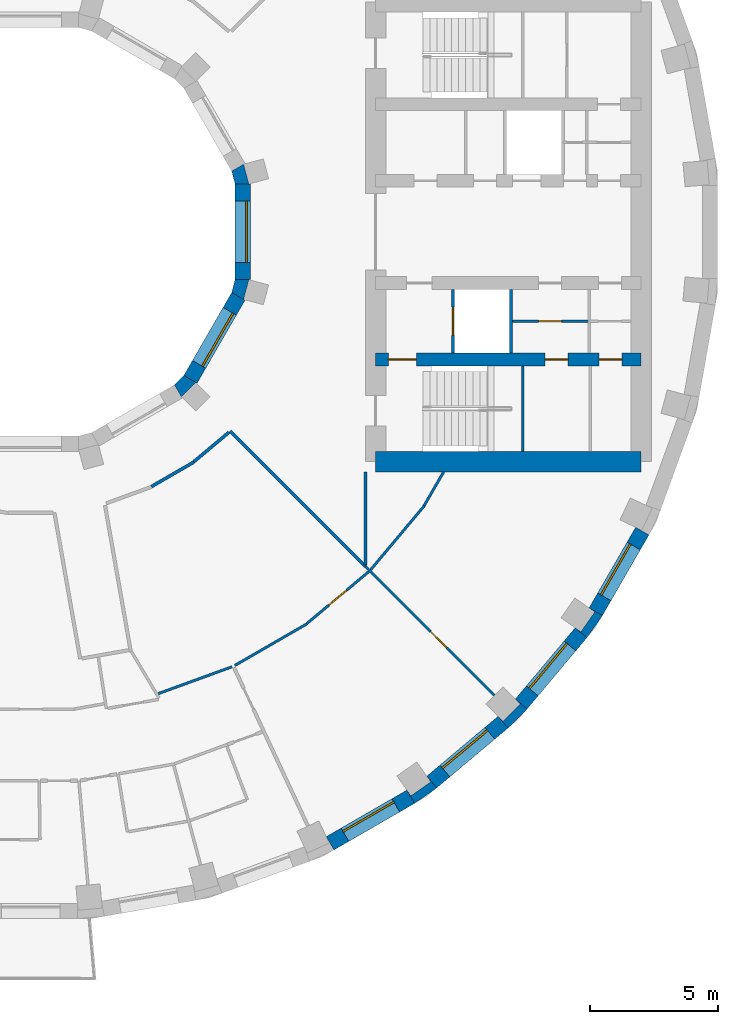
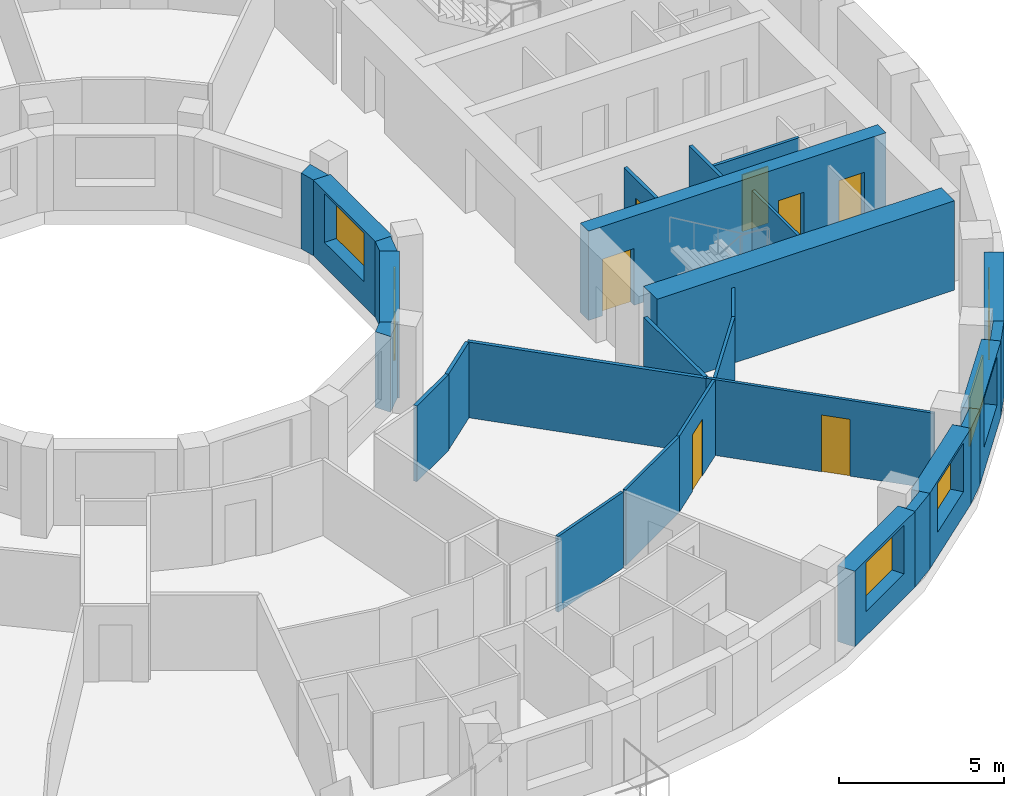
# One storey, part 7 of 14: 28 walls, 7 doors, 6 windows, 13 openings.
"""IFC4 building model written with IfcOpenShell, lengths in metres."""

import ifcopenshell
import ifcopenshell.guid

model = None  # the IFC model being written
_history = None  # IfcOwnerHistory: only IFC2X3 demands one
_inside = {}  # id of a spatial element -> (the spatial element, [elements in it])
_under = {}  # id of a project, library or spatial element -> (it, [spatial elements below it])
_declared = {}  # id of a project -> (the project, [libraries it declares])
_typed = {}  # id of a type object -> (the type object, [elements of that type])
_made_of = {}  # id of a material, layer set ... -> (it, [elements and type objects made of it])


def new_model(schema):
    """Start an empty IFC model of exactly this schema.

    Asked for "IFC4X3", IfcOpenShell would pick the latest addendum, in which some entities
    have other attributes; the version numbers below select the first issue.
    IFC2X3 requires an IfcOwnerHistory on every rooted entity: one is made here for all.
    """
    global model, _history
    if schema == "IFC4X3":
        model = ifcopenshell.file(schema_version=(4, 3, 0, 0))
    else:
        model = ifcopenshell.file(schema=schema)
    _inside.clear()
    _under.clear()
    _declared.clear()
    _typed.clear()
    _made_of.clear()
    _history = None
    if model.schema == "IFC2X3":
        org = make("IfcOrganization", Name="unknown")
        user = make(
            "IfcPersonAndOrganization",
            ThePerson=make("IfcPerson", FamilyName="unknown"),
            TheOrganization=org,
        )
        app = make(
            "IfcApplication",
            ApplicationDeveloper=org,
            Version="unknown",
            ApplicationFullName="unknown",
            ApplicationIdentifier="unknown",
        )
        _history = make(
            "IfcOwnerHistory",
            OwningUser=user,
            OwningApplication=app,
            ChangeAction="ADDED",
            CreationDate=0,
        )
    return model


def make(cls, **values):
    """One entity of the class cls with the attributes given. An attribute that is None is left unset."""
    return model.create_entity(
        cls, **{name: value for name, value in values.items() if value is not None}
    )


def rooted(cls, **values):
    """An entity with a GlobalId (a new one), such as an element, a storey or a relation."""
    return make(cls, GlobalId=ifcopenshell.guid.new(), OwnerHistory=_history, **values)


def si_unit(unit_type, name, prefix=None):
    """IfcSIUnit, for example si_unit("LENGTHUNIT", "METRE", prefix="MILLI")."""
    return make("IfcSIUnit", UnitType=unit_type, Prefix=prefix, Name=name)


def assignment(units):
    """IfcUnitAssignment: the units of a project."""
    return None if units is None else make("IfcUnitAssignment", Units=units)


def point(xyz):
    """IfcCartesianPoint."""
    return None if xyz is None else make("IfcCartesianPoint", Coordinates=xyz)


def direction(xyz):
    """IfcDirection."""
    return None if xyz is None else make("IfcDirection", DirectionRatios=xyz)


def frame(location, z_axis=None, x_axis=None):
    """IfcAxis2Placement3D, a coordinate frame: its origin and axes. An axis left out is left unset."""
    return make(
        "IfcAxis2Placement3D",
        Location=point(location),
        Axis=direction(z_axis),
        RefDirection=direction(x_axis),
    )


def frame_2d(location, x_axis=None):
    """IfcAxis2Placement2D, a coordinate frame in the plane: its origin and x axis."""
    return make(
        "IfcAxis2Placement2D", Location=point(location), RefDirection=direction(x_axis)
    )


def origin():
    """The frame at (0, 0, 0) with its axes left unset."""
    return frame((0.0, 0.0, 0.0))


def place(relative_to, where):
    """IfcLocalPlacement: puts the frame where relative to a parent placement (None: the world)."""
    return make(
        "IfcLocalPlacement", PlacementRelTo=relative_to, RelativePlacement=where
    )


def context(
    kind, dimensions, precision=None, world=None, true_north=None, identifier=None
):
    """IfcGeometricRepresentationContext, for example the 3D "Model" context."""
    return make(
        "IfcGeometricRepresentationContext",
        ContextIdentifier=identifier,
        ContextType=kind,
        CoordinateSpaceDimension=dimensions,
        Precision=precision,
        WorldCoordinateSystem=world,
        TrueNorth=true_north,
    )


def subcontext(parent, identifier, kind, view, scale=None):
    """IfcGeometricRepresentationSubContext, for example "Body" below "Model"."""
    return make(
        "IfcGeometricRepresentationSubContext",
        ContextIdentifier=identifier,
        ContextType=kind,
        ParentContext=parent,
        TargetScale=scale,
        TargetView=view,
    )


def project(units=None, contexts=None):
    """IfcProject with its units and contexts."""
    return rooted(
        "IfcProject",
        Name="project",
        RepresentationContexts=contexts,
        UnitsInContext=assignment(units),
    )


def spatial(cls, under=None, at=None, **own):
    """A site, building, storey or space (cls), placed at a placement, below another one or the project."""
    s = rooted(cls, ObjectPlacement=at, **own)
    if under is not None:
        _under.setdefault(under.id(), (under, []))[1].append(s)
    return s


def polyline(points):
    """IfcPolyline through the points."""
    return make("IfcPolyline", Points=[point(p) for p in points])


def profile(cls, at=None, kind="AREA", **sizes):
    """A parametric profile (cls). Its sizes go by their IFC names, for example OverallWidth=200.0."""
    return make(cls, ProfileType=kind, Position=at, **sizes)


def rectangle(**sizes):
    """IfcRectangleProfileDef."""
    return profile("IfcRectangleProfileDef", **sizes)


def outline(outer, holes=None, kind="AREA"):
    """IfcArbitraryClosedProfileDef: a profile drawn as a closed curve; with holes, ...WithVoids."""
    if holes is None:
        return make("IfcArbitraryClosedProfileDef", ProfileType=kind, OuterCurve=outer)
    return make(
        "IfcArbitraryProfileDefWithVoids",
        ProfileType=kind,
        OuterCurve=outer,
        InnerCurves=holes,
    )


def extrude(swept, where, along, depth):
    """IfcExtrudedAreaSolid: the profile swept, set in the frame where, extruded along a direction by depth."""
    return make(
        "IfcExtrudedAreaSolid",
        SweptArea=swept,
        Position=where,
        ExtrudedDirection=direction(along),
        Depth=depth,
    )


def shape(context_of_items, identifier, shape_type, items):
    """IfcShapeRepresentation: the items that make up one representation, for example the "Body"."""
    return make(
        "IfcShapeRepresentation",
        ContextOfItems=context_of_items,
        RepresentationIdentifier=identifier,
        RepresentationType=shape_type,
        Items=items,
    )


def material(Name=None, Category=None):
    """IfcMaterial."""
    return make("IfcMaterial", Name=Name, Category=Category)


def layer(
    of_material, thickness, ventilated=None, Name=None, Category=None, Priority=None
):
    """IfcMaterialLayer: one layer of a wall or slab, of a material (None: an air gap)."""
    return make(
        "IfcMaterialLayer",
        Material=of_material,
        LayerThickness=thickness,
        IsVentilated=ventilated,
        Name=Name,
        Category=Category,
        Priority=Priority,
    )


def layer_set(layers, Name=None):
    """IfcMaterialLayerSet."""
    return make("IfcMaterialLayerSet", MaterialLayers=layers, LayerSetName=Name)


def made_of(thing, what):
    """Note that an element or type object is made of a material, layer set ...; save() writes the relation."""
    if what is not None:
        _made_of.setdefault(what.id(), (what, []))[1].append(thing)
    return thing


def type_object(cls, material=None, **own):
    """A type object (cls), such as IfcWallType, which elements share."""
    return made_of(rooted(cls, **own), material)


def element(
    cls,
    number,
    at=None,
    inside=None,
    cuts=None,
    type_object=None,
    material=None,
    context=None,
    identifier="Body",
    shape_type=None,
    held_by="IfcProductDefinitionShape",
    body=None,
    shapes=None,
    **own,
):
    """One element of the class cls, such as IfcWall. Its Tag is "e" and its number.

    at: its placement. inside: the storey or other place that contains it. cuts: it is an
    opening in that element (IfcRelVoidsElement). A single representation is given by context,
    identifier, shape_type and body (its items); several are given by shapes. held_by: the class
    of the entity that holds the representations. save() writes the other relations.
    """
    e = rooted(cls, Tag="e%d" % number, ObjectPlacement=at, **own)
    if body is not None:
        shapes = [shape(context, identifier, shape_type, body)]
    if shapes is not None:
        e.Representation = make(held_by, Representations=shapes)
    if inside is not None:
        _inside.setdefault(inside.id(), (inside, []))[1].append(e)
    if cuts is not None:
        rooted(
            "IfcRelVoidsElement", RelatingBuildingElement=cuts, RelatedOpeningElement=e
        )
    if type_object is not None:
        _typed.setdefault(type_object.id(), (type_object, []))[1].append(e)
    return made_of(e, material)


def fill(opening, filler):
    """IfcRelFillsElement: the door or window that sits in an opening."""
    return rooted(
        "IfcRelFillsElement",
        RelatingOpeningElement=opening,
        RelatedBuildingElement=filler,
    )


def aggregate(whole, parts):
    """IfcRelAggregates: a whole, such as a stair, and the parts it consists of."""
    return rooted("IfcRelAggregates", RelatingObject=whole, RelatedObjects=parts)


def save(model, path):
    """Write the relations noted so far, then the file.

    IfcRelAggregates (storeys below a building ...), IfcRelContainedInSpatialStructure (elements
    in a storey), IfcRelDefinesByType, IfcRelAssociatesMaterial and IfcRelDeclares: one each for
    every whole, place, type object, material and project.
    """
    for whole, parts in _under.values():
        aggregate(whole, parts)
    for where, things in _inside.values():
        rooted(
            "IfcRelContainedInSpatialStructure",
            RelatedElements=things,
            RelatingStructure=where,
        )
    for kind, things in _typed.values():
        rooted("IfcRelDefinesByType", RelatedObjects=things, RelatingType=kind)
    for what, things in _made_of.values():
        rooted("IfcRelAssociatesMaterial", RelatedObjects=things, RelatingMaterial=what)
    for by, libraries in _declared.values():
        rooted("IfcRelDeclares", RelatingContext=by, RelatedDefinitions=libraries)
    model.write(path)


model = new_model("IFC4")

# Units and contexts
model_context = context("Model", 3, precision=1e-05, world=origin(), true_north=direction((0.0, 1.0)))
body_context = subcontext(model_context, "Body", "Model", "MODEL_VIEW")
ifc_project = project(units=[si_unit("LENGTHUNIT", "METRE"), si_unit("AREAUNIT", "SQUARE_METRE"), si_unit("VOLUMEUNIT", "CUBIC_METRE"), si_unit("PLANEANGLEUNIT", "RADIAN"), si_unit("MASSUNIT", "GRAM", prefix="KILO")], contexts=[model_context])

# Site, building, storey
site_placement = place(None, origin())
site = spatial("IfcSite", under=ifc_project, at=site_placement, CompositionType="ELEMENT")
building_placement = place(site_placement, origin())
building = spatial("IfcBuilding", under=site, at=building_placement, Name="Saqina Gate Tower", CompositionType="ELEMENT")
storey_placement = place(building_placement, frame((0.0, 0.0, 131.5)))
storey = spatial("IfcBuildingStorey", under=building, at=storey_placement, Name="L37", CompositionType="ELEMENT", Elevation=131.5)

# Walls
ifc_material_1 = material(Name="Brick masonry (buff)", Category="masonry")
wall_type_1 = type_object("IfcWallType", Name="BRICK PIER COPING BUFF", PredefinedType="SOLIDWALL", material=ifc_material_1)
wall_1_placement = place(storey_placement, origin())
element("IfcWall", 1, at=wall_1_placement, inside=storey, type_object=wall_type_1, Name="Pier cap L37 column 31", PredefinedType="SOLIDWALL", context=body_context, shape_type="SweptSolid", body=[
    extrude(outline(polyline([(15.89208984375, -21.77685546875), (15.50634765625, -21.317138671875), (15.66064453125, -21.53759765625), (14.88232421875, -22.08251953125), (14.728271484375, -21.862060546875), (15.0283203125, -22.3818359375), (15.89208984375, -21.77685546875)])), origin(), (0.0, 0.0, 1.0), 2.800048828125),
])
wall_2_placement = place(storey_placement, origin())
element("IfcWall", 2, at=wall_2_placement, inside=storey, type_object=wall_type_1, Name="Pier cap L37 column 32", PredefinedType="SOLIDWALL", context=body_context, shape_type="SweptSolid", body=[
    extrude(outline(polyline([(18.686279296875, -19.43212890625), (19.43212890625, -18.686279296875), (18.972412109375, -18.30078125), (19.16259765625, -18.49072265625), (18.49072265625, -19.16259765625), (18.30078125, -18.972412109375), (18.686279296875, -19.43212890625)])), origin(), (0.0, 0.0, 1.0), 2.800048828125),
])
wall_3_placement = place(storey_placement, origin())
element("IfcWall", 3, at=wall_3_placement, inside=storey, type_object=wall_type_1, Name="Pier cap L37 column 33", PredefinedType="SOLIDWALL", context=body_context, shape_type="SweptSolid", body=[
    extrude(outline(polyline([(22.3818359375, -15.0283203125), (21.862060546875, -14.728271484375), (22.08251953125, -14.88232421875), (21.53759765625, -15.66064453125), (21.317138671875, -15.50634765625), (21.77685546875, -15.89208984375), (22.3818359375, -15.0283203125)])), origin(), (0.0, 0.0, 1.0), 2.800048828125),
])

# Wall, opening, door
ifc_material_2 = material(Name="Gypsum board on steel studs", Category="steel")
ifc_layer_1 = layer(ifc_material_2, 0.10009765625)
ifc_layer_set_1 = layer_set([ifc_layer_1], Name="CORE PARTITION")
wall_type_2 = type_object("IfcWallType", Name="CORE PARTITION", PredefinedType="PARTITIONING", material=ifc_layer_set_1)
wall_4_placement = place(storey_placement, frame((18.81005859375, -3.5, 0.0), z_axis=(0.0, 0.0, 1.0), x_axis=(1.0, 0.0, 0.0)))
wall_4 = element("IfcWall", 4, at=wall_4_placement, inside=storey, type_object=wall_type_2, Name="L37-CP-E10", PredefinedType="PARTITIONING", context=body_context, shape_type="SweptSolid", body=[
    extrude(rectangle(XDim=3.04833984375, YDim=0.10009765625, at=frame_2d((1.524169921875, 0.0))), origin(), (0.0, 0.0, 1.0), 2.800048828125),
])
opening_1_placement = place(wall_4_placement, frame((1.07421875, 0.0, 0.0)))
opening_1 = element("IfcOpeningElement", 5, at=opening_1_placement, cuts=wall_4, Name="Opening G11-D102", PredefinedType="OPENING", context=body_context, shape_type="SweptSolid", body=[
    extrude(rectangle(XDim=0.89990234375, YDim=2.10009765625, at=frame_2d((0.449951171875, 1.050048828125))), frame((0.0, 0.06201171875, 0.0), z_axis=(0.0, -1.0, 0.0), x_axis=(1.0, 0.0, 0.0)), (0.0, 0.0, 1.0), 0.1240234375),
])
ifc_material_3 = material(Name="Steel-framed fire door leaf, EI 60", Category="steel")
door_type_1 = type_object("IfcDoorType", Name="SERVICE ROOM DOOR 900", OperationType="SINGLE_SWING_LEFT", PredefinedType="DOOR", material=ifc_material_3)
door_1_placement = place(opening_1_placement, frame((0.89990234375, 0.0, 0.0), z_axis=(0.0, 0.0, 1.0), x_axis=(-1.0, 0.0, 0.0)))
door_1 = element("IfcDoor", 6, at=door_1_placement, inside=storey, type_object=door_type_1, Name="L37-CD-E13", OperationType="SINGLE_SWING_RIGHT", OverallHeight=2.10009765625, OverallWidth=0.89990234375, PredefinedType="DOOR", context=body_context, shape_type="SweptSolid", body=[
    extrude(rectangle(XDim=0.89990234375, YDim=2.10009765625, at=frame_2d((0.449951171875, 1.050048828125))), frame((0.0, 0.02490234375, 0.0), z_axis=(0.0, -1.0, 0.0), x_axis=(1.0, 0.0, 0.0)), (0.0, 0.0, 1.0), 0.050048828125),
])
fill(opening_1, door_1)

# Wall, opening, window
ifc_material_4 = material(Name="Brick masonry (buff)", Category="masonry")
ifc_layer_2 = layer(ifc_material_4, 0.60009765625)
ifc_layer_set_2 = layer_set([ifc_layer_2], Name="FW-BRICK-BUFF")
wall_type_3 = type_object("IfcWallType", Name="FW-BRICK-BUFF", PredefinedType="SOLIDWALL", material=ifc_layer_set_2)
wall_5_placement = place(storey_placement, frame((11.718994140625, -23.94580078125, 0.0), z_axis=(0.0, 0.0, 1.0), x_axis=(0.866051847062, 0.499954196102, 0.0)))
wall_5 = element("IfcWall", 7, at=wall_5_placement, inside=storey, type_object=wall_type_3, Name="Facade wall L37 facet 30", PredefinedType="SOLIDWALL", context=body_context, shape_type="SweptSolid", body=[
    extrude(rectangle(XDim=3.647705078125, YDim=0.60009765625, at=frame_2d((1.82373046875, 0.0))), origin(), (0.0, 0.0, 1.0), 2.800048828125),
])
opening_2_placement = place(wall_5_placement, frame((0.673828125, 0.0, 0.89990234375)))
opening_2 = element("IfcOpeningElement", 8, at=opening_2_placement, cuts=wall_5, Name="Opening G11-W19", PredefinedType="OPENING", context=body_context, shape_type="SweptSolid", body=[
    extrude(rectangle(XDim=2.300048828125, YDim=1.800048828125, at=frame_2d((1.14990234375, 0.89990234375))), frame((0.0, 0.31201171875, 0.0), z_axis=(0.0, -1.0, 0.0), x_axis=(1.0, 0.0, 0.0)), (0.0, 0.0, 1.0), 0.6240234375),
])
ifc_material_5 = material(Name="Aluminium glazing", Category="aluminium")
window_type_1 = type_object("IfcWindowType", Name="WN-B", PartitioningType="SINGLE_PANEL", PredefinedType="WINDOW", material=ifc_material_5)
window_1_placement = place(opening_2_placement, origin())
window_1 = element("IfcWindow", 9, at=window_1_placement, inside=storey, type_object=window_type_1, Name="Window L37 facet 30", OverallHeight=1.800048828125, OverallWidth=2.300048828125, PartitioningType="SINGLE_PANEL", PredefinedType="WINDOW", context=body_context, shape_type="SweptSolid", body=[
    extrude(rectangle(XDim=2.300048828125, YDim=1.800048828125, at=frame_2d((1.14990234375, 0.89990234375))), frame((0.0, 0.179931640625, 0.0), z_axis=(0.0, -1.0, 0.0), x_axis=(1.0, 0.0, 0.0)), (0.0, 0.0, 1.0), 0.06005859375),
])
fill(opening_2, window_1)

wall_6_placement = place(storey_placement, frame((15.69921875, -21.547119140625, 0.0), z_axis=(0.0, 0.0, 1.0), x_axis=(0.766055462616, 0.642774476932, 0.0)))
wall_6 = element("IfcWall", 10, at=wall_6_placement, inside=storey, type_object=wall_type_3, Name="Facade wall L37 facet 31", PredefinedType="SOLIDWALL", context=body_context, shape_type="SweptSolid", body=[
    extrude(rectangle(XDim=3.647705078125, YDim=0.60009765625, at=frame_2d((1.82373046875, 0.0))), origin(), (0.0, 0.0, 1.0), 2.800048828125),
])
opening_3_placement = place(wall_6_placement, frame((0.673828125, 0.0, 0.89990234375)))
opening_3 = element("IfcOpeningElement", 11, at=opening_3_placement, cuts=wall_6, Name="Opening G11-W20", PredefinedType="OPENING", context=body_context, shape_type="SweptSolid", body=[
    extrude(rectangle(XDim=2.300048828125, YDim=1.800048828125, at=frame_2d((1.14990234375, 0.89990234375))), frame((0.0, 0.31201171875, 0.0), z_axis=(0.0, -1.0, 0.0), x_axis=(1.0, 0.0, 0.0)), (0.0, 0.0, 1.0), 0.6240234375),
])
window_2_placement = place(opening_3_placement, origin())
window_2 = element("IfcWindow", 12, at=window_2_placement, inside=storey, type_object=window_type_1, Name="Window L37 facet 31", OverallHeight=1.800048828125, OverallWidth=2.300048828125, PartitioningType="SINGLE_PANEL", PredefinedType="WINDOW", context=body_context, shape_type="SweptSolid", body=[
    extrude(rectangle(XDim=2.300048828125, YDim=1.800048828125, at=frame_2d((1.14990234375, 0.89990234375))), frame((0.0, 0.179931640625, 0.0), z_axis=(0.0, -1.0, 0.0), x_axis=(1.0, 0.0, 0.0)), (0.0, 0.0, 1.0), 0.06005859375),
])
fill(opening_3, window_2)

wall_7_placement = place(storey_placement, frame((19.202392578125, -18.49365234375, 0.0), z_axis=(0.0, 0.0, 1.0), x_axis=(0.642774476932, 0.766055462616, 0.0)))
wall_7 = element("IfcWall", 13, at=wall_7_placement, inside=storey, type_object=wall_type_3, Name="Facade wall L37 facet 32", PredefinedType="SOLIDWALL", context=body_context, shape_type="SweptSolid", body=[
    extrude(rectangle(XDim=3.647705078125, YDim=0.60009765625, at=frame_2d((1.82373046875, 0.0))), origin(), (0.0, 0.0, 1.0), 2.800048828125),
])
opening_4_placement = place(wall_7_placement, frame((0.673828125, 0.0, 0.89990234375)))
opening_4 = element("IfcOpeningElement", 14, at=opening_4_placement, cuts=wall_7, Name="Opening G11-W21", PredefinedType="OPENING", context=body_context, shape_type="SweptSolid", body=[
    extrude(rectangle(XDim=2.300048828125, YDim=1.800048828125, at=frame_2d((1.14990234375, 0.89990234375))), frame((0.0, 0.31201171875, 0.0), z_axis=(0.0, -1.0, 0.0), x_axis=(1.0, 0.0, 0.0)), (0.0, 0.0, 1.0), 0.6240234375),
])
window_3_placement = place(opening_4_placement, origin())
window_3 = element("IfcWindow", 15, at=window_3_placement, inside=storey, type_object=window_type_1, Name="Window L37 facet 32", OverallHeight=1.800048828125, OverallWidth=2.300048828125, PartitioningType="SINGLE_PANEL", PredefinedType="WINDOW", context=body_context, shape_type="SweptSolid", body=[
    extrude(rectangle(XDim=2.300048828125, YDim=1.800048828125, at=frame_2d((1.14990234375, 0.89990234375))), frame((0.0, 0.179931640625, 0.0), z_axis=(0.0, -1.0, 0.0), x_axis=(1.0, 0.0, 0.0)), (0.0, 0.0, 1.0), 0.06005859375),
])
fill(opening_4, window_3)

wall_8_placement = place(storey_placement, frame((22.1220703125, -14.878173828125, 0.0), z_axis=(0.0, 0.0, 1.0), x_axis=(0.499954196102, 0.866051847062, 0.0)))
wall_8 = element("IfcWall", 16, at=wall_8_placement, inside=storey, type_object=wall_type_3, Name="Facade wall L37 facet 33", PredefinedType="SOLIDWALL", context=body_context, shape_type="SweptSolid", body=[
    extrude(rectangle(XDim=3.647705078125, YDim=0.60009765625, at=frame_2d((1.82373046875, 0.0))), origin(), (0.0, 0.0, 1.0), 2.800048828125),
])
opening_5_placement = place(wall_8_placement, frame((0.673828125, 0.0, 0.89990234375)))
opening_5 = element("IfcOpeningElement", 17, at=opening_5_placement, cuts=wall_8, Name="Opening G11-W22", PredefinedType="OPENING", context=body_context, shape_type="SweptSolid", body=[
    extrude(rectangle(XDim=2.300048828125, YDim=1.800048828125, at=frame_2d((1.14990234375, 0.89990234375))), frame((0.0, 0.31201171875, 0.0), z_axis=(0.0, -1.0, 0.0), x_axis=(1.0, 0.0, 0.0)), (0.0, 0.0, 1.0), 0.6240234375),
])
window_4_placement = place(opening_5_placement, origin())
window_4 = element("IfcWindow", 18, at=window_4_placement, inside=storey, type_object=window_type_1, Name="Window L37 facet 33", OverallHeight=1.800048828125, OverallWidth=2.300048828125, PartitioningType="SINGLE_PANEL", PredefinedType="WINDOW", context=body_context, shape_type="SweptSolid", body=[
    extrude(rectangle(XDim=2.300048828125, YDim=1.800048828125, at=frame_2d((1.14990234375, 0.89990234375))), frame((0.0, 0.179931640625, 0.0), z_axis=(0.0, -1.0, 0.0), x_axis=(1.0, 0.0, 0.0)), (0.0, 0.0, 1.0), 0.06005859375),
])
fill(opening_5, window_4)

ifc_material_6 = material(Name="Glazed ceramic tile", Category="ceramic")
ifc_layer_3 = layer(ifc_material_6, 0.60009765625)
ifc_layer_set_3 = layer_set([ifc_layer_3], Name="IW-TILE")
wall_type_4 = type_object("IfcWallType", Name="IW-TILE", PredefinedType="SOLIDWALL", material=ifc_layer_set_3)
wall_9_placement = place(storey_placement, frame((6.251220703125, -5.772705078125, 0.0), z_axis=(0.0, 0.0, 1.0), x_axis=(0.499964958637, 0.86604563398, 0.0)))
wall_9 = element("IfcWall", 19, at=wall_9_placement, inside=storey, type_object=wall_type_4, Name="Well wall L37 facet 11", PredefinedType="SOLIDWALL", context=body_context, shape_type="SweptSolid", body=[
    extrude(rectangle(XDim=3.747314453125, YDim=0.60009765625, at=frame_2d((1.87353515625, 0.0))), origin(), (0.0, 0.0, 1.0), 2.800048828125),
])
opening_6_placement = place(wall_9_placement, frame((0.673583984375, 0.0, 0.89990234375)))
opening_6 = element("IfcOpeningElement", 20, at=opening_6_placement, cuts=wall_9, Name="Opening G11-W33", PredefinedType="OPENING", context=body_context, shape_type="SweptSolid", body=[
    extrude(rectangle(XDim=2.39990234375, YDim=1.800048828125, at=frame_2d((1.199951171875, 0.89990234375))), frame((0.0, 0.31201171875, 0.0), z_axis=(0.0, -1.0, 0.0), x_axis=(1.0, 0.0, 0.0)), (0.0, 0.0, 1.0), 0.6240234375),
])
ifc_material_7 = material(Name="Aluminium glazing", Category="aluminium")
window_type_2 = type_object("IfcWindowType", Name="WN-W", PartitioningType="SINGLE_PANEL", PredefinedType="WINDOW", material=ifc_material_7)
window_5_placement = place(opening_6_placement, origin())
window_5 = element("IfcWindow", 21, at=window_5_placement, inside=storey, type_object=window_type_2, Name="Well window L37 facet 11", OverallHeight=1.800048828125, OverallWidth=2.39990234375, PartitioningType="SINGLE_PANEL", PredefinedType="WINDOW", context=body_context, shape_type="SweptSolid", body=[
    extrude(rectangle(XDim=2.39990234375, YDim=1.800048828125, at=frame_2d((1.199951171875, 0.89990234375))), frame((0.0, -0.119873046875, 0.0), z_axis=(0.0, -1.0, 0.0), x_axis=(1.0, 0.0, 0.0)), (0.0, 0.0, 1.0), 0.06005859375),
])
fill(opening_6, window_5)

wall_10_placement = place(storey_placement, frame((8.300048828125, -1.873779296875, 0.0), z_axis=(0.0, 0.0, 1.0), x_axis=(0.0, 1.0, 0.0)))
wall_10 = element("IfcWall", 22, at=wall_10_placement, inside=storey, type_object=wall_type_4, Name="Well wall L37 facet 12", PredefinedType="SOLIDWALL", context=body_context, shape_type="SweptSolid", body=[
    extrude(rectangle(XDim=3.74755859375, YDim=0.60009765625, at=frame_2d((1.873779296875, 0.0))), origin(), (0.0, 0.0, 1.0), 2.800048828125),
])
opening_7_placement = place(wall_10_placement, frame((0.673583984375, 0.0, 0.89990234375)))
opening_7 = element("IfcOpeningElement", 23, at=opening_7_placement, cuts=wall_10, Name="Opening G11-W34", PredefinedType="OPENING", context=body_context, shape_type="SweptSolid", body=[
    extrude(rectangle(XDim=2.39990234375, YDim=1.800048828125, at=frame_2d((1.199951171875, 0.89990234375))), frame((0.0, 0.31201171875, 0.0), z_axis=(0.0, -1.0, 0.0), x_axis=(1.0, 0.0, 0.0)), (0.0, 0.0, 1.0), 0.6240234375),
])
window_6_placement = place(opening_7_placement, origin())
window_6 = element("IfcWindow", 24, at=window_6_placement, inside=storey, type_object=window_type_2, Name="Well window L37 facet 12", OverallHeight=1.800048828125, OverallWidth=2.39990234375, PartitioningType="SINGLE_PANEL", PredefinedType="WINDOW", context=body_context, shape_type="SweptSolid", body=[
    extrude(rectangle(XDim=2.39990234375, YDim=1.800048828125, at=frame_2d((1.199951171875, 0.89990234375))), frame((0.0, -0.119873046875, 0.0), z_axis=(0.0, -1.0, 0.0), x_axis=(1.0, 0.0, 0.0)), (0.0, 0.0, 1.0), 0.06005859375),
])
fill(opening_7, window_6)

# Wall, opening, door
ifc_material_8 = material(Name="Gypsum board on steel studs, 100 mm", Category="steel")
ifc_layer_4 = layer(ifc_material_8, 0.10009765625)
ifc_layer_set_4 = layer_set([ifc_layer_4], Name="PARTITION 100")
wall_type_5 = type_object("IfcWallType", Name="PARTITION 100", PredefinedType="PARTITIONING", material=ifc_layer_set_4)
wall_11_placement = place(storey_placement, frame((13.10009765625, -13.10009765625, 0.0), z_axis=(0.0, 0.0, 1.0), x_axis=(0.707106781187, -0.707106781187, 0.0)))
wall_11 = element("IfcWall", 25, at=wall_11_placement, inside=storey, type_object=wall_type_5, Name="PARTITION PW3-22", PredefinedType="PARTITIONING", context=body_context, shape_type="SweptSolid", body=[
    extrude(rectangle(XDim=7.138671875, YDim=0.10009765625, at=frame_2d((3.5693359375, 0.0))), origin(), (0.0, 0.0, 1.0), 2.800048828125),
])
opening_8_placement = place(wall_11_placement, frame((3.60888671875, 0.0, 0.0)))
opening_8 = element("IfcOpeningElement", 26, at=opening_8_placement, cuts=wall_11, Name="Opening G11-D42", PredefinedType="OPENING", context=body_context, shape_type="SweptSolid", body=[
    extrude(rectangle(XDim=0.89990234375, YDim=2.10009765625, at=frame_2d((0.449951171875, 1.050048828125))), frame((0.0, 0.06201171875, 0.0), z_axis=(0.0, -1.0, 0.0), x_axis=(1.0, 0.0, 0.0)), (0.0, 0.0, 1.0), 0.1240234375),
])
ifc_material_9 = material(Name="Timber door leaf, 900 mm", Category="wood")
door_type_2 = type_object("IfcDoorType", Name="DOOR 900 TIMBER", OperationType="SINGLE_SWING_LEFT", PredefinedType="DOOR", material=ifc_material_9)
door_2_placement = place(opening_8_placement, origin())
door_2 = element("IfcDoor", 27, at=door_2_placement, inside=storey, type_object=door_type_2, Name="DOOR G11-D42", OperationType="SINGLE_SWING_RIGHT", OverallHeight=2.10009765625, OverallWidth=0.89990234375, PredefinedType="DOOR", context=body_context, shape_type="SweptSolid", body=[
    extrude(rectangle(XDim=0.89990234375, YDim=2.10009765625, at=frame_2d((0.449951171875, 1.050048828125))), frame((0.0, 0.02490234375, 0.0), z_axis=(0.0, -1.0, 0.0), x_axis=(1.0, 0.0, 0.0)), (0.0, 0.0, 1.0), 0.050048828125),
])
fill(opening_8, door_2)

# Walls
wall_12_placement = place(storey_placement, frame((4.9921875, -18.082275390625, 0.0), z_axis=(0.0, 0.0, 1.0), x_axis=(0.939709725343, 0.341973145284, 0.0)))
element("IfcWall", 28, at=wall_12_placement, inside=storey, type_object=wall_type_5, Name="PARTITION PW3-53", PredefinedType="PARTITIONING", context=body_context, shape_type="SweptSolid", body=[
    extrude(rectangle(XDim=3.06689453125, YDim=0.10009765625, at=frame_2d((1.533447265625, 0.0))), origin(), (0.0, 0.0, 1.0), 2.800048828125),
])
wall_13_placement = place(storey_placement, frame((7.987060546875, -16.980712890625, 0.0), z_axis=(0.0, 0.0, 1.0), x_axis=(0.865989766624, 0.500061720293, 0.0)))
element("IfcWall", 29, at=wall_13_placement, inside=storey, type_object=wall_type_5, Name="PARTITION PW3-58", PredefinedType="PARTITIONING", context=body_context, shape_type="SweptSolid", body=[
    extrude(rectangle(XDim=3.259765625, YDim=0.10009765625, at=frame_2d((1.6298828125, 0.0))), origin(), (0.0, 0.0, 1.0), 2.800048828125),
])

# Wall, opening, door
wall_14_placement = place(storey_placement, frame((10.80419921875, -15.34375, 0.0), z_axis=(0.0, 0.0, 1.0), x_axis=(0.766167094934, 0.642641410618, 0.0)))
wall_14 = element("IfcWall", 30, at=wall_14_placement, inside=storey, type_object=wall_type_5, Name="PARTITION PW3-63", PredefinedType="PARTITIONING", context=body_context, shape_type="SweptSolid", body=[
    extrude(rectangle(XDim=3.172119140625, YDim=0.10009765625, at=frame_2d((1.5859375, 0.0))), origin(), (0.0, 0.0, 1.0), 2.800048828125),
])
opening_9_placement = place(wall_14_placement, frame((1.135986328125, 0.0, 0.0)))
opening_9 = element("IfcOpeningElement", 31, at=opening_9_placement, cuts=wall_14, Name="Opening G11-D41", PredefinedType="OPENING", context=body_context, shape_type="SweptSolid", body=[
    extrude(rectangle(XDim=0.89990234375, YDim=2.10009765625, at=frame_2d((0.449951171875, 1.050048828125))), frame((0.0, 0.06201171875, 0.0), z_axis=(0.0, -1.0, 0.0), x_axis=(1.0, 0.0, 0.0)), (0.0, 0.0, 1.0), 0.1240234375),
])
door_3_placement = place(opening_9_placement, origin())
door_3 = element("IfcDoor", 32, at=door_3_placement, inside=storey, type_object=door_type_2, Name="DOOR G11-D41", OperationType="SINGLE_SWING_LEFT", OverallHeight=2.10009765625, OverallWidth=0.89990234375, PredefinedType="DOOR", context=body_context, shape_type="SweptSolid", body=[
    extrude(rectangle(XDim=0.89990234375, YDim=2.10009765625, at=frame_2d((0.449951171875, 1.050048828125))), frame((0.0, 0.02490234375, 0.0), z_axis=(0.0, -1.0, 0.0), x_axis=(1.0, 0.0, 0.0)), (0.0, 0.0, 1.0), 0.050048828125),
])
fill(opening_9, door_3)

# Walls
wall_15_placement = place(storey_placement, frame((13.30517578125, -13.234619140625, 0.0), z_axis=(0.0, 0.0, 1.0), x_axis=(0.642682886784, 0.766132303871, 0.0)))
element("IfcWall", 33, at=wall_15_placement, inside=storey, type_object=wall_type_5, Name="PARTITION PW3-68", PredefinedType="PARTITIONING", context=body_context, shape_type="SweptSolid", body=[
    extrude(rectangle(XDim=3.27294921875, YDim=0.10009765625, at=frame_2d((1.636474609375, 0.0))), origin(), (0.0, 0.0, 1.0), 2.800048828125),
])
wall_16_placement = place(storey_placement, frame((15.401123046875, -10.72265625, 0.0), z_axis=(0.0, 0.0, 1.0), x_axis=(0.500035603698, 0.866004847004, 0.0)))
element("IfcWall", 34, at=wall_16_placement, inside=storey, type_object=wall_type_5, Name="PARTITION PW3-74", PredefinedType="PARTITIONING", context=body_context, shape_type="SweptSolid", body=[
    extrude(rectangle(XDim=1.52978515625, YDim=0.10009765625, at=frame_2d((0.764892578125, 0.0))), origin(), (0.0, 0.0, 1.0), 2.800048828125),
])
ifc_material_10 = material(Name="Gypsum board on steel studs, 125 mm, fire rated", Category="steel")
ifc_layer_5 = layer(ifc_material_10, 0.125)
ifc_layer_set_5 = layer_set([ifc_layer_5], Name="PARTITION EI 30 125")
wall_type_6 = type_object("IfcWallType", Name="PARTITION EI 30 125", PredefinedType="PARTITIONING", material=ifc_layer_set_5)
wall_17_placement = place(storey_placement, frame((7.80810546875, -7.80810546875, 0.0), z_axis=(0.0, 0.0, 1.0), x_axis=(0.707106781187, -0.707106781187, 0.0)))
element("IfcWall", 35, at=wall_17_placement, inside=storey, type_object=wall_type_6, Name="PARTITION PW1-07", PredefinedType="PARTITIONING", context=body_context, shape_type="SweptSolid", body=[
    extrude(rectangle(XDim=7.48388671875, YDim=0.125, at=frame_2d((3.741943359375, 0.0))), origin(), (0.0, 0.0, 1.0), 2.800048828125),
])
wall_18_placement = place(storey_placement, frame((4.72119140625, -9.975830078125, 0.0), z_axis=(0.0, 0.0, 1.0), x_axis=(0.865946867621, 0.500136003959, 0.0)))
element("IfcWall", 36, at=wall_18_placement, inside=storey, type_object=wall_type_6, Name="PARTITION PW1-31", PredefinedType="PARTITIONING", context=body_context, shape_type="SweptSolid", body=[
    extrude(rectangle(XDim=1.9248046875, YDim=0.125, at=frame_2d((0.96240234375, 0.0))), origin(), (0.0, 0.0, 1.0), 2.800048828125),
])
wall_19_placement = place(storey_placement, frame((6.380859375, -9.0048828125, 0.0), z_axis=(0.0, 0.0, 1.0), x_axis=(0.766182926266, 0.642622535785, 0.0)))
element("IfcWall", 37, at=wall_19_placement, inside=storey, type_object=wall_type_6, Name="PARTITION PW1-34", PredefinedType="PARTITIONING", context=body_context, shape_type="SweptSolid", body=[
    extrude(rectangle(XDim=1.800048828125, YDim=0.125, at=frame_2d((0.89990234375, 0.0))), origin(), (0.0, 0.0, 1.0), 2.800048828125),
])
wall_20_placement = place(storey_placement, frame((13.10009765625, -13.03759765625, 0.0), z_axis=(0.0, 0.0, 1.0), x_axis=(0.0, 1.0, 0.0)))
element("IfcWall", 38, at=wall_20_placement, inside=storey, type_object=wall_type_6, Name="PARTITION PW1-45", PredefinedType="PARTITIONING", context=body_context, shape_type="SweptSolid", body=[
    extrude(rectangle(XDim=3.6376953125, YDim=0.125, at=frame_2d((1.81884765625, 0.0))), origin(), (0.0, 0.0, 1.0), 2.800048828125),
])

# Wall, opening, door
ifc_material_11 = material(Name="Autoclaved aerated concrete block", Category="concrete")
ifc_layer_6 = layer(ifc_material_11, 0.1201171875)
ifc_layer_set_6 = layer_set([ifc_layer_6], Name="SHAFT PARTITION")
wall_type_7 = type_object("IfcWallType", Name="SHAFT PARTITION", PredefinedType="PARTITIONING", material=ifc_layer_set_6)
wall_21_placement = place(storey_placement, frame((16.530029296875, -4.75, 0.0), z_axis=(0.0, 0.0, 1.0), x_axis=(0.0, 1.0, 0.0)))
wall_21 = element("IfcWall", 39, at=wall_21_placement, inside=storey, type_object=wall_type_7, Name="L37-CP-E05", PredefinedType="PARTITIONING", context=body_context, shape_type="SweptSolid", body=[
    extrude(rectangle(XDim=2.5, YDim=0.1201171875, at=frame_2d((1.25, 0.0))), origin(), (0.0, 0.0, 1.0), 2.800048828125),
])
opening_10_placement = place(wall_21_placement, frame((0.699951171875, 0.0, 0.0)))
opening_10 = element("IfcOpeningElement", 40, at=opening_10_placement, cuts=wall_21, Name="Opening G11-LD2", PredefinedType="OPENING", context=body_context, shape_type="SweptSolid", body=[
    extrude(rectangle(XDim=1.10009765625, YDim=2.10009765625, at=frame_2d((0.550048828125, 1.050048828125))), frame((0.0, 0.072021484375, 0.0), z_axis=(0.0, -1.0, 0.0), x_axis=(1.0, 0.0, 0.0)), (0.0, 0.0, 1.0), 0.14404296875),
])
ifc_material_12 = material(Name="Stainless steel", Category="steel")
door_type_3 = type_object("IfcDoorType", Name="LANDING DOOR", OperationType="DOUBLE_DOOR_SLIDING", PredefinedType="DOOR", material=ifc_material_12)
door_4_placement = place(opening_10_placement, origin())
door_4 = element("IfcDoor", 41, at=door_4_placement, inside=storey, type_object=door_type_3, Name="LANDING DOOR FF1", OperationType="DOUBLE_DOOR_SLIDING", OverallHeight=2.10009765625, OverallWidth=1.10009765625, PredefinedType="DOOR", context=body_context, shape_type="SweptSolid", body=[
    extrude(rectangle(XDim=1.10009765625, YDim=2.10009765625, at=frame_2d((0.550048828125, 1.050048828125))), frame((0.0, 0.02490234375, 0.0), z_axis=(0.0, -1.0, 0.0), x_axis=(1.0, 0.0, 0.0)), (0.0, 0.0, 1.0), 0.050048828125),
])
fill(opening_10, door_4)

# Walls
wall_22_placement = place(storey_placement, frame((18.81005859375, -4.75, 0.0), z_axis=(0.0, 0.0, 1.0), x_axis=(0.0, 1.0, 0.0)))
element("IfcWall", 42, at=wall_22_placement, inside=storey, type_object=wall_type_7, Name="L37-CP-E06", PredefinedType="PARTITIONING", context=body_context, shape_type="SweptSolid", body=[
    extrude(rectangle(XDim=2.5, YDim=0.1201171875, at=frame_2d((1.25, 0.0))), origin(), (0.0, 0.0, 1.0), 2.800048828125),
])
ifc_material_13 = material(Name="Autoclaved aerated concrete block", Category="concrete")
ifc_layer_7 = layer(ifc_material_13, 0.10009765625)
ifc_layer_set_7 = layer_set([ifc_layer_7], Name="STAIR ENCLOSURE WALL")
wall_type_8 = type_object("IfcWallType", Name="STAIR ENCLOSURE WALL", PredefinedType="PARTITIONING", material=ifc_layer_set_7)
wall_23_placement = place(storey_placement, frame((19.27001953125, -8.60009765625, 0.0), z_axis=(0.0, 0.0, 1.0), x_axis=(0.0, 1.0, 0.0)))
element("IfcWall", 43, at=wall_23_placement, inside=storey, type_object=wall_type_8, Name="L37-CP-E14", PredefinedType="PARTITIONING", context=body_context, shape_type="SweptSolid", body=[
    extrude(rectangle(XDim=3.35009765625, YDim=0.10009765625, at=frame_2d((1.675048828125, 0.0))), origin(), (0.0, 0.0, 1.0), 2.800048828125),
])

# Wall, openings, doors
ifc_material_14 = material(Name="Concrete C70/85", Category="concrete")
ifc_layer_8 = layer(ifc_material_14, 0.5)
ifc_layer_set_8 = layer_set([ifc_layer_8], Name="Concrete C70/85")
wall_type_9 = type_object("IfcWallType", Name="STR-CORE WALL-B-I", PredefinedType="SHEAR", material=ifc_layer_set_8)
wall_24_placement = place(storey_placement, frame((13.5, -5.0, 0.0), z_axis=(0.0, 0.0, 1.0), x_axis=(1.0, 0.0, 0.0)))
wall_24 = element("IfcWall", 44, at=wall_24_placement, inside=storey, type_object=wall_type_9, Name="CORE WALL L37 E-X2", PredefinedType="SHEAR", context=body_context, shape_type="SweptSolid", body=[
    extrude(rectangle(XDim=10.39990234375, YDim=0.5, at=frame_2d((5.199951171875, 0.0))), origin(), (0.0, 0.0, 1.0), 3.300048828125),
])
opening_11_placement = place(wall_24_placement, frame((6.63916015625, 0.0, 0.0)))
opening_11 = element("IfcOpeningElement", 45, at=opening_11_placement, cuts=wall_24, Name="Opening G11-D103", PredefinedType="OPENING", context=body_context, shape_type="SweptSolid", body=[
    extrude(rectangle(XDim=0.89990234375, YDim=2.10009765625, at=frame_2d((0.449951171875, 1.050048828125))), frame((0.0, 0.261962890625, 0.0), z_axis=(0.0, -1.0, 0.0), x_axis=(1.0, 0.0, 0.0)), (0.0, 0.0, 1.0), 0.52392578125),
])
opening_12_placement = place(wall_24_placement, frame((8.755859375, 0.0, 0.0)))
opening_12 = element("IfcOpeningElement", 46, at=opening_12_placement, cuts=wall_24, Name="Opening G11-D104", PredefinedType="OPENING", context=body_context, shape_type="SweptSolid", body=[
    extrude(rectangle(XDim=0.89990234375, YDim=2.10009765625, at=frame_2d((0.449951171875, 1.050048828125))), frame((0.0, 0.261962890625, 0.0), z_axis=(0.0, -1.0, 0.0), x_axis=(1.0, 0.0, 0.0)), (0.0, 0.0, 1.0), 0.52392578125),
])
opening_13_placement = place(wall_24_placement, frame((0.5, 0.0, 0.0)))
opening_13 = element("IfcOpeningElement", 47, at=opening_13_placement, cuts=wall_24, Name="Opening G11-D105", PredefinedType="OPENING", context=body_context, shape_type="SweptSolid", body=[
    extrude(rectangle(XDim=1.10009765625, YDim=2.10009765625, at=frame_2d((0.550048828125, 1.050048828125))), frame((0.0, 0.261962890625, 0.0), z_axis=(0.0, -1.0, 0.0), x_axis=(1.0, 0.0, 0.0)), (0.0, 0.0, 1.0), 0.52392578125),
])
ifc_material_15 = material(Name="Steel", Category="steel")
door_type_4 = type_object("IfcDoorType", Name="FIRE LOBBY DOOR EI 60 WIDE", OperationType="SINGLE_SWING_LEFT", PredefinedType="DOOR", material=ifc_material_15)
door_5_placement = place(opening_13_placement, frame((1.10009765625, 0.0, 0.0), z_axis=(0.0, 0.0, 1.0), x_axis=(-1.0, 0.0, 0.0)))
door_5 = element("IfcDoor", 48, at=door_5_placement, inside=storey, type_object=door_type_4, Name="L37-CD-E16", OperationType="SINGLE_SWING_RIGHT", OverallHeight=2.10009765625, OverallWidth=1.10009765625, PredefinedType="DOOR", context=body_context, shape_type="SweptSolid", body=[
    extrude(rectangle(XDim=1.10009765625, YDim=2.10009765625, at=frame_2d((0.550048828125, 1.050048828125))), frame((0.0, 0.02490234375, 0.0), z_axis=(0.0, -1.0, 0.0), x_axis=(1.0, 0.0, 0.0)), (0.0, 0.0, 1.0), 0.050048828125),
])
fill(opening_13, door_5)
door_6_placement = place(opening_11_placement, frame((0.89990234375, 0.0, 0.0), z_axis=(0.0, 0.0, 1.0), x_axis=(-1.0, 0.0, 0.0)))
door_6 = element("IfcDoor", 49, at=door_6_placement, inside=storey, type_object=door_type_1, Name="L37-CD-E14", OperationType="SINGLE_SWING_LEFT", OverallHeight=2.10009765625, OverallWidth=0.89990234375, PredefinedType="DOOR", context=body_context, shape_type="SweptSolid", body=[
    extrude(rectangle(XDim=0.89990234375, YDim=2.10009765625, at=frame_2d((0.449951171875, 1.050048828125))), frame((0.0, 0.02490234375, 0.0), z_axis=(0.0, -1.0, 0.0), x_axis=(1.0, 0.0, 0.0)), (0.0, 0.0, 1.0), 0.050048828125),
])
fill(opening_11, door_6)
door_7_placement = place(opening_12_placement, frame((0.89990234375, 0.0, 0.0), z_axis=(0.0, 0.0, 1.0), x_axis=(-1.0, 0.0, 0.0)))
door_7 = element("IfcDoor", 50, at=door_7_placement, inside=storey, type_object=door_type_1, Name="L37-CD-E15", OperationType="SINGLE_SWING_LEFT", OverallHeight=2.10009765625, OverallWidth=0.89990234375, PredefinedType="DOOR", context=body_context, shape_type="SweptSolid", body=[
    extrude(rectangle(XDim=0.89990234375, YDim=2.10009765625, at=frame_2d((0.449951171875, 1.050048828125))), frame((0.0, 0.02490234375, 0.0), z_axis=(0.0, -1.0, 0.0), x_axis=(1.0, 0.0, 0.0)), (0.0, 0.0, 1.0), 0.050048828125),
])
fill(opening_12, door_7)

# Walls
ifc_material_16 = material(Name="Concrete C70/85", Category="concrete")
ifc_layer_9 = layer(ifc_material_16, 0.800048828125)
ifc_layer_set_9 = layer_set([ifc_layer_9], Name="Concrete C70/85")
wall_type_10 = type_object("IfcWallType", Name="STR-CORE WALL-B-O", PredefinedType="SHEAR", material=ifc_layer_set_9)
wall_25_placement = place(storey_placement, frame((13.5, -9.0, 0.0), z_axis=(0.0, 0.0, 1.0), x_axis=(1.0, 0.0, 0.0)))
element("IfcWall", 51, at=wall_25_placement, inside=storey, type_object=wall_type_10, Name="CORE WALL L37 E-SE", PredefinedType="SHEAR", context=body_context, shape_type="SweptSolid", body=[
    extrude(rectangle(XDim=10.39990234375, YDim=0.800048828125, at=frame_2d((5.199951171875, 0.0))), origin(), (0.0, 0.0, 1.0), 3.300048828125),
])
ifc_material_17 = material(Name="Glazed ceramic tile", Category="ceramic")
wall_type_11 = type_object("IfcWallType", Name="TILE PIER COPING", PredefinedType="SOLIDWALL", material=ifc_material_17)
wall_26_placement = place(storey_placement, origin())
element("IfcWall", 52, at=wall_26_placement, inside=storey, type_object=wall_type_11, Name="Well pier cap L37 column 1", PredefinedType="SOLIDWALL", context=body_context, shape_type="SweptSolid", body=[
    extrude(outline(polyline([(8.3310546875, 2.646484375), (7.864990234375, 2.377197265625), (8.0, 1.873779296875), (8.5380859375, 1.873779296875), (8.3310546875, 2.646484375)])), origin(), (0.0, 0.0, 1.0), 2.800048828125),
])
wall_27_placement = place(storey_placement, origin())
element("IfcWall", 53, at=wall_27_placement, inside=storey, type_object=wall_type_11, Name="Well pier cap L37 column 11", PredefinedType="SOLIDWALL", context=body_context, shape_type="SweptSolid", body=[
    extrude(outline(polyline([(5.891845703125, -6.45751953125), (6.45751953125, -5.891845703125), (5.991455078125, -5.622802734375), (5.622802734375, -5.991455078125), (5.891845703125, -6.45751953125)])), origin(), (0.0, 0.0, 1.0), 2.800048828125),
])
wall_28_placement = place(storey_placement, origin())
element("IfcWall", 54, at=wall_28_placement, inside=storey, type_object=wall_type_11, Name="Well pier cap L37 column 12", PredefinedType="SOLIDWALL", context=body_context, shape_type="SweptSolid", body=[
    extrude(outline(polyline([(8.5380859375, -1.873779296875), (8.0, -1.873779296875), (7.864990234375, -2.377197265625), (8.3310546875, -2.646484375), (8.5380859375, -1.873779296875)])), origin(), (0.0, 0.0, 1.0), 2.800048828125),
])

save(model, "model.ifc")
